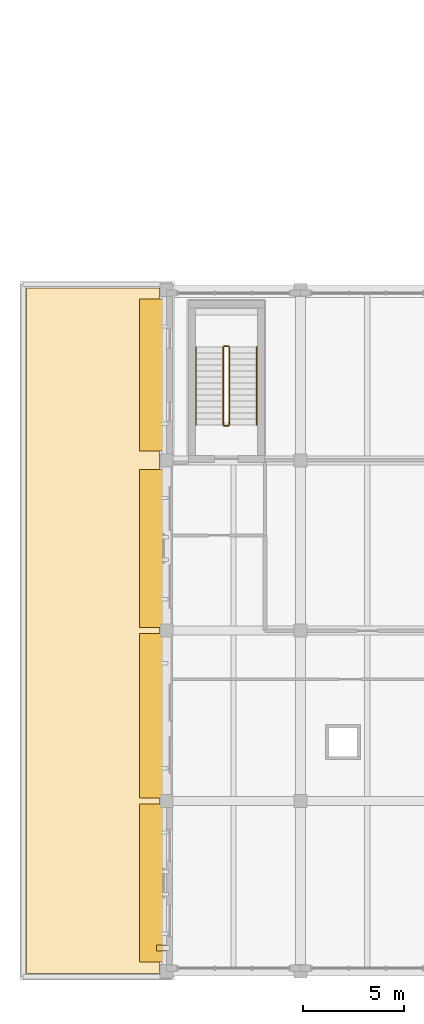
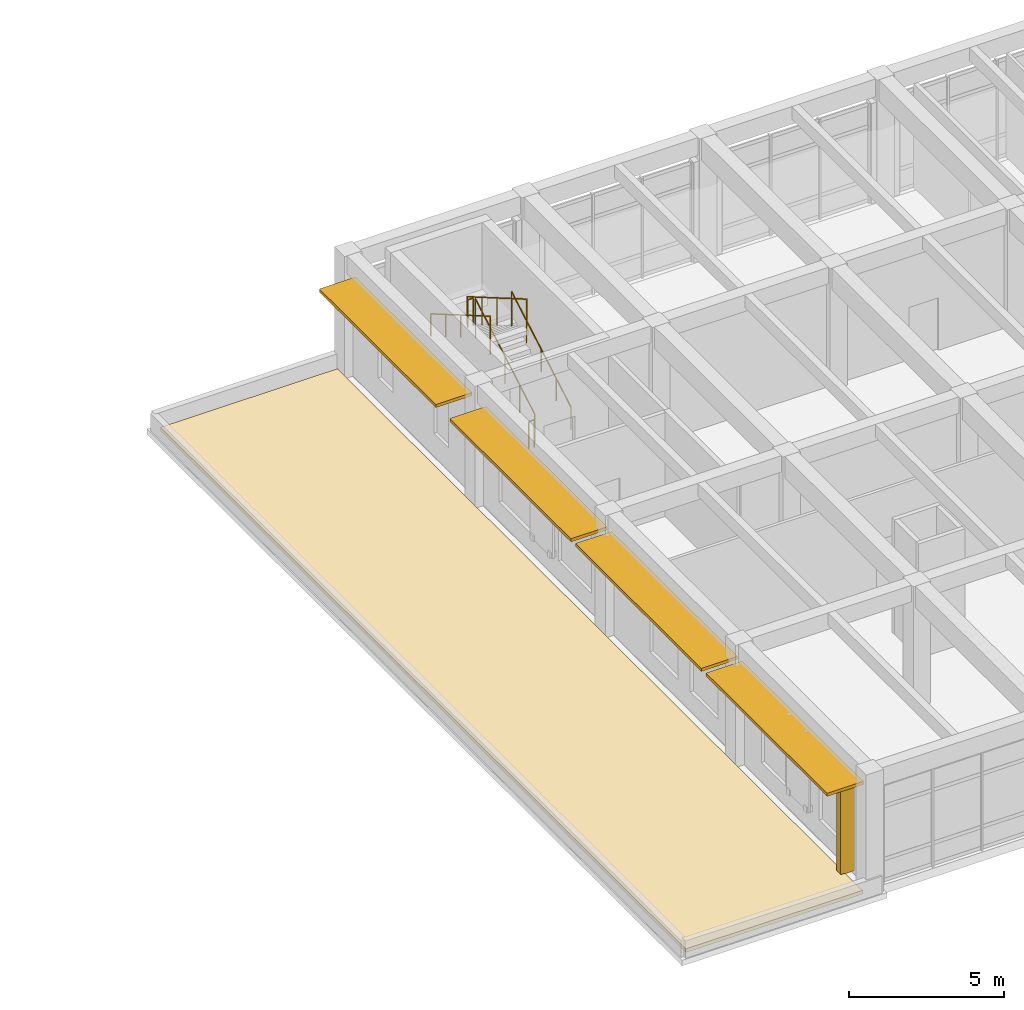
# One storey, part 68 of 79: 6 railings, 5 shading devices, 1 covering.
"""IFC4 building model written with IfcOpenShell, lengths in metres."""

from ifc_helpers import new_model, si_unit, direction, frame, origin, origin_2d, place, context, subcontext, project, spatial, polyline, rectangle, circle, outline, extrude, material, layer, layer_set, type_object, element, save


model = new_model("IFC4")

# Units and contexts
model_context = context("Model", 3, precision=1e-05, world=origin(), true_north=direction((0.0, 1.0)))
body_context = subcontext(model_context, "Body", "Model", "MODEL_VIEW")
ifc_project = project(units=[si_unit("LENGTHUNIT", "METRE"), si_unit("AREAUNIT", "SQUARE_METRE"), si_unit("VOLUMEUNIT", "CUBIC_METRE"), si_unit("PLANEANGLEUNIT", "RADIAN"), si_unit("MASSUNIT", "GRAM", prefix="KILO")], contexts=[model_context])

# Site, building, storey
site_placement = place(None, origin())
site = spatial("IfcSite", under=ifc_project, at=site_placement, CompositionType="ELEMENT")
building_placement = place(site_placement, origin())
building = spatial("IfcBuilding", under=site, at=building_placement, Name="Kolvaren Faculty of Natural Sciences", CompositionType="ELEMENT")
storey_placement = place(building_placement, frame((0.0, 0.0, 10.199951171875)))
storey = spatial("IfcBuildingStorey", under=building, at=storey_placement, Name="L02", CompositionType="ELEMENT", Elevation=10.199951171875)

# Shading devices
ifc_material_1 = material(Name="Precast concrete C35/45", Category="concrete")
ifc_layer_1 = layer(ifc_material_1, 0.1201171875)
ifc_layer_set_1 = layer_set([ifc_layer_1], Name="Precast concrete C35/45")
shading_device_type_1 = type_object("IfcShadingDeviceType", Name="ChhajjaSolarHood_1350", PredefinedType="AWNING", material=ifc_layer_set_1)
shading_device_1_placement = place(storey_placement, frame((6.14501953125, 12.949951171875, 3.844970703125), z_axis=(0.0, 0.0, 1.0), x_axis=(0.0, 1.0, 0.0)))
element("IfcShadingDevice", 1, at=shading_device_1_placement, inside=storey, type_object=shading_device_type_1, Name="L02 precast sandstone chhajja solar hood 91", PredefinedType="AWNING", context=body_context, shape_type="SweptSolid", body=[
    extrude(rectangle(XDim=7.800048828125, YDim=1.35009765625, at=origin_2d()), origin(), (0.0, 0.0, 1.0), 0.1201171875),
])
shading_device_2_placement = place(storey_placement, frame((6.14501953125, 21.199951171875, 3.844970703125), z_axis=(0.0, 0.0, 1.0), x_axis=(0.0, 1.0, 0.0)))
element("IfcShadingDevice", 2, at=shading_device_2_placement, inside=storey, type_object=shading_device_type_1, Name="L02 precast sandstone chhajja solar hood 92", PredefinedType="AWNING", context=body_context, shape_type="SweptSolid", body=[
    extrude(rectangle(XDim=8.10009765625, YDim=1.35009765625, at=origin_2d()), origin(), (0.0, 0.0, 1.0), 0.1201171875),
])
shading_device_3_placement = place(storey_placement, frame((6.14501953125, 29.449951171875, 3.844970703125), z_axis=(0.0, 0.0, 1.0), x_axis=(0.0, 1.0, 0.0)))
element("IfcShadingDevice", 3, at=shading_device_3_placement, inside=storey, type_object=shading_device_type_1, Name="L02 precast sandstone chhajja solar hood 93", PredefinedType="AWNING", context=body_context, shape_type="SweptSolid", body=[
    extrude(rectangle(XDim=7.800048828125, YDim=1.35009765625, at=origin_2d()), origin(), (0.0, 0.0, 1.0), 0.1201171875),
])
shading_device_4_placement = place(storey_placement, frame((6.14501953125, 38.0, 3.844970703125), z_axis=(0.0, 0.0, 1.0), x_axis=(0.0, 1.0, 0.0)))
element("IfcShadingDevice", 4, at=shading_device_4_placement, inside=storey, type_object=shading_device_type_1, Name="L02 precast sandstone chhajja solar hood 94", PredefinedType="AWNING", context=body_context, shape_type="SweptSolid", body=[
    extrude(rectangle(XDim=7.5, YDim=1.35009765625, at=origin_2d()), origin(), (0.0, 0.0, 1.0), 0.1201171875),
])
ifc_layer_2 = layer(ifc_material_1, 0.280029296875)
ifc_layer_set_2 = layer_set([ifc_layer_2], Name="Precast concrete C35/45")
shading_device_type_2 = type_object("IfcShadingDeviceType", Name="FacadeReliefFin_280x520", PredefinedType="USERDEFINED", material=ifc_layer_set_2)
shading_device_5_placement = place(storey_placement, frame((6.56005859375, 9.75, 0.1201171875), z_axis=(0.0, 0.0, 1.0), x_axis=(0.0, 1.0, 0.0)))
element("IfcShadingDevice", 5, at=shading_device_5_placement, inside=storey, type_object=shading_device_type_2, Name="L02 projecting sandstone facade relief fin 3", ObjectType="FIN", PredefinedType="USERDEFINED", context=body_context, shape_type="SweptSolid", body=[
    extrude(rectangle(XDim=0.280029296875, YDim=0.52001953125, at=origin_2d()), origin(), (0.0, 0.0, 1.0), 3.804931640625),
])

# Covering
ifc_material_2 = material(Name="SBS polymer-modified bitumen waterproofing membrane over PIR insulation")
ifc_layer_3 = layer(ifc_material_2, 0.139892578125)
ifc_layer_set_3 = layer_set([ifc_layer_3], Name="SBS polymer-modified bitumen waterproofing membrane over PIR insulation")
covering_type = type_object("IfcCoveringType", Name="InsulatedRoofMembrane_140", PredefinedType="ROOFING", material=ifc_layer_set_3)
covering_placement = place(storey_placement, origin())
element("IfcCovering", 6, at=covering_placement, inside=storey, type_object=covering_type, Name="L02 insulated warm-roof waterproofing membrane 1", PredefinedType="ROOFING", context=body_context, shape_type="SweptSolid", body=[
    extrude(outline(polyline([(6.478515625, 42.31005859375), (6.476318359375, 42.30419921875), (6.475830078125, 42.30224609375), (6.471435546875, 42.287109375), (6.470947265625, 42.285400390625), (6.46435546875, 42.25390625), (6.464111328125, 42.251953125), (6.46044921875, 42.218017578125), (6.46044921875, 42.216064453125), (6.4599609375, 42.199951171875), (6.4599609375, 8.60009765625), (6.46044921875, 8.583984375), (6.46044921875, 8.58203125), (6.464111328125, 8.548095703125), (6.46435546875, 8.546142578125), (6.470947265625, 8.5146484375), (6.471435546875, 8.5126953125), (6.475830078125, 8.497802734375), (6.476318359375, 8.495849609375), (6.478515625, 8.489990234375), (-0.110107421875, 8.489990234375), (-0.110107421875, 42.31005859375), (6.478515625, 42.31005859375)])), origin(), (0.0, 0.0, 1.0), 0.14013671875),
])

# Railings
ifc_material_3 = material(Name="Structural steel EN 10210-1 S355J2H", Category="steel")
ifc_layer_4 = layer(ifc_material_3, 0.048095703125)
ifc_layer_set_4 = layer_set([ifc_layer_4], Name="Structural steel EN 10210-1 S355J2H")
railing_type_1 = type_object("IfcRailingType", Name="StairPitchHandrail_920", PredefinedType="HANDRAIL", material=ifc_layer_set_4)
railing_1_placement = place(storey_placement, frame((11.25, 35.550048828125, 0.17138671875)))
element("IfcRailing", 7, at=railing_1_placement, inside=storey, type_object=railing_type_1, Name="L02 ST-8 stair handrail 1", PredefinedType="HANDRAIL", context=body_context, shape_type="SweptSolid", body=[
    extrude(circle(Radius=0.02392578125, at=origin_2d()), frame((0.0, 0.0, 0.8759765625), z_axis=(0.0, 0.864592272851, 0.502474080651), x_axis=(-1.0, 0.0, 0.0)), (0.0, 0.0, 1.0), 4.435546875),
    extrude(circle(Radius=0.02099609375, at=origin_2d()), origin(), (0.0, 0.0, 1.0), 0.851806640625),
    extrude(circle(Radius=0.02099609375, at=origin_2d()), frame((0.0, 0.958740234375, 0.55712890625)), (0.0, 0.0, 1.0), 0.851806640625),
    extrude(circle(Radius=0.02099609375, at=origin_2d()), frame((0.0, 1.91748046875, 1.1142578125)), (0.0, 0.0, 1.0), 0.851806640625),
    extrude(circle(Radius=0.02099609375, at=origin_2d()), frame((0.0, 2.876220703125, 1.671630859375)), (0.0, 0.0, 1.0), 0.851806640625),
    extrude(circle(Radius=0.02099609375, at=origin_2d()), frame((0.0, 3.8349609375, 2.228759765625)), (0.0, 0.0, 1.0), 0.851806640625),
])
railing_2_placement = place(storey_placement, frame((8.25, 39.385009765625, 2.571533203125)))
element("IfcRailing", 8, at=railing_2_placement, inside=storey, type_object=railing_type_1, Name="L02 ST-8 stair handrail 2", PredefinedType="HANDRAIL", context=body_context, shape_type="SweptSolid", body=[
    extrude(circle(Radius=0.02392578125, at=origin_2d()), frame((0.0, 0.0, 0.8759765625), z_axis=(0.0, -0.86461618451, 0.502432934314), x_axis=(1.0, 0.0, 0.0)), (0.0, 0.0, 1.0), 4.435546875),
    extrude(circle(Radius=0.02099609375, at=origin_2d()), origin(), (0.0, 0.0, 1.0), 0.851806640625),
    extrude(circle(Radius=0.02099609375, at=origin_2d()), frame((0.0, -0.958740234375, 0.55712890625)), (0.0, 0.0, 1.0), 0.851806640625),
    extrude(circle(Radius=0.02099609375, at=origin_2d()), frame((0.0, -1.91748046875, 1.1142578125)), (0.0, 0.0, 1.0), 0.851806640625),
    extrude(circle(Radius=0.02099609375, at=origin_2d()), frame((0.0, -2.876220703125, 1.67138671875)), (0.0, 0.0, 1.0), 0.851806640625),
    extrude(circle(Radius=0.02099609375, at=origin_2d()), frame((0.0, -3.8349609375, 2.228515625)), (0.0, 0.0, 1.0), 0.851806640625),
])
ifc_layer_5 = layer(ifc_material_3, 0.048095703125)
ifc_layer_set_5 = layer_set([ifc_layer_5], Name="Structural steel EN 10210-1 S355J2H")
railing_type_2 = type_object("IfcRailingType", Name="StairWellGuard_1100", PredefinedType="BALUSTRADE", material=ifc_layer_set_5)
railing_3_placement = place(storey_placement, frame((9.89990234375, 35.550048828125, 0.17138671875)))
element("IfcRailing", 9, at=railing_3_placement, inside=storey, type_object=railing_type_2, Name="L02 ST-8 stair guard 1", PredefinedType="BALUSTRADE", context=body_context, shape_type="SweptSolid", body=[
    extrude(circle(Radius=0.02392578125, at=origin_2d()), frame((0.0, 0.0, 1.076171875), z_axis=(0.0, 0.864592272851, 0.502474080651), x_axis=(-1.0, 0.0, 0.0)), (0.0, 0.0, 1.0), 4.435546875),
    extrude(circle(Radius=0.02099609375, at=origin_2d()), origin(), (0.0, 0.0, 1.0), 1.052001953125),
    extrude(circle(Radius=0.02099609375, at=origin_2d()), frame((0.0, 0.958740234375, 0.55712890625)), (0.0, 0.0, 1.0), 1.052001953125),
    extrude(circle(Radius=0.02099609375, at=origin_2d()), frame((0.0, 1.91748046875, 1.1142578125)), (0.0, 0.0, 1.0), 1.052001953125),
    extrude(circle(Radius=0.02099609375, at=origin_2d()), frame((0.0, 2.876220703125, 1.671630859375)), (0.0, 0.0, 1.0), 1.052001953125),
    extrude(circle(Radius=0.02099609375, at=origin_2d()), frame((0.0, 3.8349609375, 2.228759765625)), (0.0, 0.0, 1.0), 1.052001953125),
])
railing_4_placement = place(storey_placement, frame((9.85009765625, 39.43505859375, 2.400146484375)))
element("IfcRailing", 10, at=railing_4_placement, inside=storey, type_object=railing_type_2, Name="L02 ST-8 stair guard 2", PredefinedType="BALUSTRADE", context=body_context, shape_type="SweptSolid", body=[
    extrude(circle(Radius=0.02392578125, at=origin_2d()), frame((0.0, 0.0, 1.076171875), z_axis=(-1.0, 0.0, 0.0), x_axis=(0.0, -1.0, 0.0)), (0.0, 0.0, 1.0), 0.2001953125),
    extrude(circle(Radius=0.02099609375, at=origin_2d()), origin(), (0.0, 0.0, 1.0), 1.052001953125),
    extrude(circle(Radius=0.02099609375, at=origin_2d()), frame((-0.2001953125, 0.0, 0.0)), (0.0, 0.0, 1.0), 1.052001953125),
])
railing_5_placement = place(storey_placement, frame((9.60009765625, 39.385009765625, 2.571533203125)))
element("IfcRailing", 11, at=railing_5_placement, inside=storey, type_object=railing_type_2, Name="L02 ST-8 stair guard 3", PredefinedType="BALUSTRADE", context=body_context, shape_type="SweptSolid", body=[
    extrude(circle(Radius=0.02392578125, at=origin_2d()), frame((0.0, 0.0, 1.076171875), z_axis=(0.0, -0.86461618451, 0.502432934314), x_axis=(1.0, 0.0, 0.0)), (0.0, 0.0, 1.0), 4.435546875),
    extrude(circle(Radius=0.02099609375, at=origin_2d()), origin(), (0.0, 0.0, 1.0), 1.052001953125),
    extrude(circle(Radius=0.02099609375, at=origin_2d()), frame((0.0, -0.958740234375, 0.55712890625)), (0.0, 0.0, 1.0), 1.052001953125),
    extrude(circle(Radius=0.02099609375, at=origin_2d()), frame((0.0, -1.91748046875, 1.1142578125)), (0.0, 0.0, 1.0), 1.052001953125),
    extrude(circle(Radius=0.02099609375, at=origin_2d()), frame((0.0, -2.876220703125, 1.67138671875)), (0.0, 0.0, 1.0), 1.052001953125),
    extrude(circle(Radius=0.02099609375, at=origin_2d()), frame((0.0, -3.8349609375, 2.228515625)), (0.0, 0.0, 1.0), 1.052001953125),
])
railing_6_placement = place(storey_placement, frame((9.85009765625, 35.5, 0.0)))
element("IfcRailing", 12, at=railing_6_placement, inside=storey, type_object=railing_type_2, Name="L02 ST-8 stair guard 4", PredefinedType="BALUSTRADE", context=body_context, shape_type="SweptSolid", body=[
    extrude(circle(Radius=0.02392578125, at=origin_2d()), frame((0.0, 0.0, 1.076171875), z_axis=(-1.0, 0.0, 0.0), x_axis=(0.0, -1.0, 0.0)), (0.0, 0.0, 1.0), 0.2001953125),
    extrude(circle(Radius=0.02099609375, at=origin_2d()), origin(), (0.0, 0.0, 1.0), 1.052001953125),
    extrude(circle(Radius=0.02099609375, at=origin_2d()), frame((-0.2001953125, 0.0, 0.0)), (0.0, 0.0, 1.0), 1.052001953125),
])

save(model, "model.ifc")
